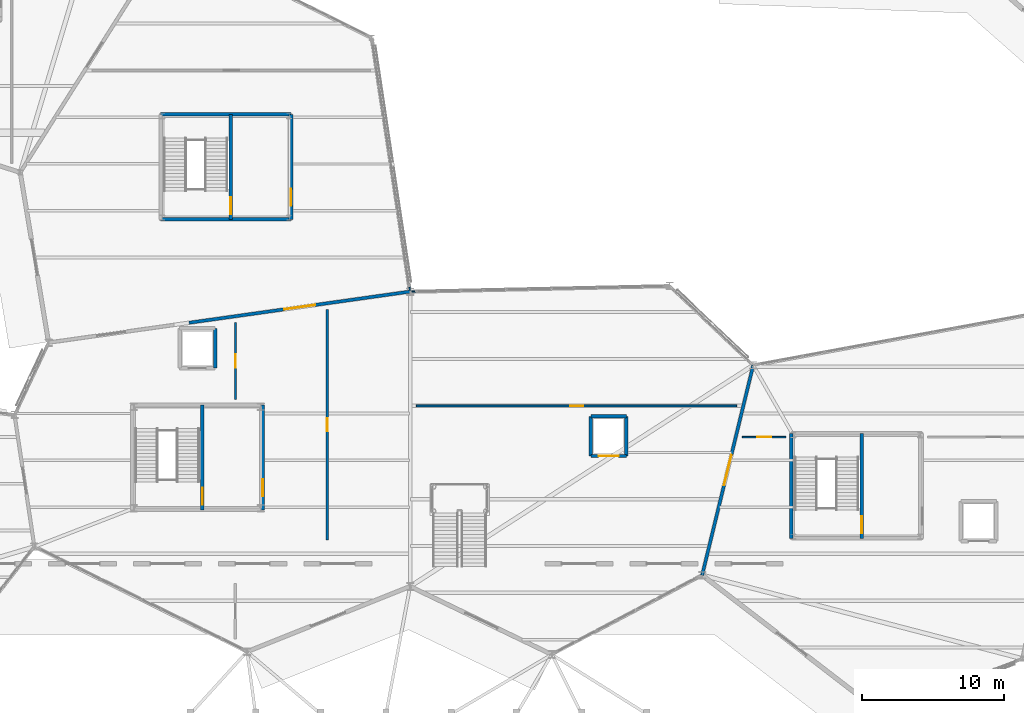
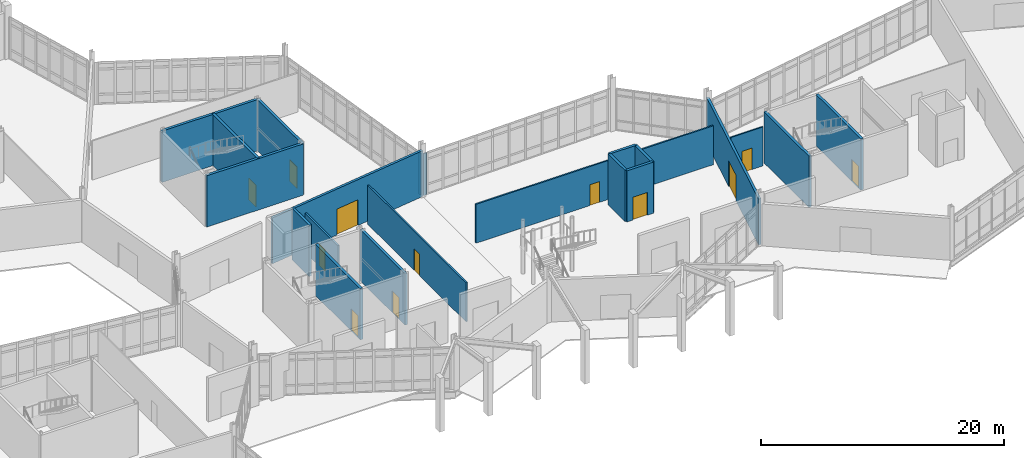
# One storey, part 90 of 113: 21 walls, 12 doors, 12 openings.
"""IFC4 building model written with IfcOpenShell, lengths in metres."""

from ifc_helpers import new_model, si_unit, direction, frame, frame_2d, origin, place, context, subcontext, project, spatial, rectangle, extrude, material, layer, layer_set, type_object, element, fill, save


model = new_model("IFC4")

# Units and contexts
model_context = context("Model", 3, precision=1e-05, world=origin(), true_north=direction((0.0, 1.0)))
body_context = subcontext(model_context, "Body", "Model", "MODEL_VIEW")
ifc_project = project(units=[si_unit("LENGTHUNIT", "METRE"), si_unit("AREAUNIT", "SQUARE_METRE"), si_unit("VOLUMEUNIT", "CUBIC_METRE"), si_unit("PLANEANGLEUNIT", "RADIAN"), si_unit("MASSUNIT", "GRAM", prefix="KILO")], contexts=[model_context])

# Site, building, storey
site_placement = place(None, origin())
site = spatial("IfcSite", under=ifc_project, at=site_placement, CompositionType="ELEMENT")
building_placement = place(site_placement, origin())
building = spatial("IfcBuilding", under=site, at=building_placement, Name="Tameran Prism Museum", CompositionType="ELEMENT")
storey_placement = place(building_placement, origin())
storey = spatial("IfcBuildingStorey", under=building, at=storey_placement, Name="L00", CompositionType="ELEMENT", Elevation=0.0)

# Walls
ifc_material_1 = material(Name="Precast Concrete N40 (40 MPa)", Category="concrete")
ifc_layer_1 = layer(ifc_material_1, 0.094970703125)
ifc_layer_set_1 = layer_set([ifc_layer_1])
wall_type_1 = type_object("IfcWallType", Name="EW-CLOS-095", PredefinedType="SOLIDWALL", material=ifc_layer_set_1)
wall_1_placement = place(storey_placement, frame((77.60205078125, 48.201904296875, 0.0), z_axis=(0.0, 0.0, 1.0), x_axis=(0.999735659566, 0.022991541735, 0.0)))
element("IfcWall", 1, at=wall_1_placement, inside=storey, type_object=wall_type_1, Name="Facade Corner Closure EW-0097", PredefinedType="SOLIDWALL", context=body_context, shape_type="SweptSolid", body=[
    extrude(rectangle(XDim=0.307861328125, YDim=0.094970703125, at=frame_2d((0.15380859375, 0.0))), origin(), (0.0, 0.0, 1.0), 4.219970703125),
])
wall_2_placement = place(storey_placement, frame((77.43896484375, 48.60498046875, 0.0), z_axis=(0.0, 0.0, 1.0), x_axis=(0.15008766182, -0.988672692942, 0.0)))
element("IfcWall", 2, at=wall_2_placement, inside=storey, type_object=wall_type_1, Name="Facade Corner Closure EW-0101", PredefinedType="SOLIDWALL", context=body_context, shape_type="SweptSolid", body=[
    extrude(rectangle(XDim=0.307373046875, YDim=0.094970703125, at=frame_2d((0.15380859375, 0.0))), origin(), (0.0, 0.0, 1.0), 4.219970703125),
])

# Wall, opening, door
ifc_material_2 = material(Name="Concrete N40 (40 MPa)", Category="concrete")
ifc_layer_2 = layer(ifc_material_2, 0.22509765625)
ifc_layer_set_2 = layer_set([ifc_layer_2])
wall_type_2 = type_object("IfcWallType", Name="IW-CMP-225", PredefinedType="SOLIDWALL", material=ifc_layer_set_2)
wall_3_placement = place(storey_placement, frame((77.5, 48.199951171875, 0.0), z_axis=(0.0, 0.0, 1.0), x_axis=(-0.990181159322, -0.139790098807, 0.0)))
wall_3 = element("IfcWall", 3, at=wall_3_placement, inside=storey, type_object=wall_type_2, Name="Compartment Wall IW-0034", PredefinedType="SOLIDWALL", context=body_context, shape_type="SweptSolid", body=[
    extrude(rectangle(XDim=15.737548828125, YDim=0.22509765625, at=frame_2d((7.86865234375, 0.0))), origin(), (0.0, 0.0, 1.0), 4.6201171875),
])
opening_1_placement = place(wall_3_placement, frame((6.76904296875, 0.0, 0.0)))
opening_1 = element("IfcOpeningElement", 4, at=opening_1_placement, cuts=wall_3, Name="Opening ID-0033", PredefinedType="OPENING", context=body_context, shape_type="SweptSolid", body=[
    extrude(rectangle(XDim=2.199951171875, YDim=2.60009765625, at=frame_2d((1.10009765625, 1.300048828125))), frame((0.0, 0.12255859375, 0.0), z_axis=(0.0, -1.0, 0.0), x_axis=(1.0, 0.0, 0.0)), (0.0, 0.0, 1.0), 0.2451171875),
])
ifc_material_3 = material(Name="Fire-Rated Steel Door Leaf and Frame", Category="steel")
door_type_1 = type_object("IfcDoorType", Name="DR-GAL-220", OperationType="DOUBLE_DOOR_SINGLE_SWING", PredefinedType="DOOR", material=ifc_material_3)
door_1_placement = place(opening_1_placement, origin())
door_1 = element("IfcDoor", 5, at=door_1_placement, inside=storey, type_object=door_type_1, Name="Compartment Door ID-0033", OperationType="DOUBLE_DOOR_SINGLE_SWING", OverallHeight=2.60009765625, OverallWidth=2.199951171875, PredefinedType="DOOR", context=body_context, shape_type="SweptSolid", body=[
    extrude(rectangle(XDim=2.199951171875, YDim=2.60009765625, at=frame_2d((1.10009765625, 1.300048828125))), frame((0.0, 0.02490234375, 0.0), z_axis=(0.0, -1.0, 0.0), x_axis=(1.0, 0.0, 0.0)), (0.0, 0.0, 1.0), 0.050048828125),
])
fill(opening_1, door_1)

wall_4_placement = place(storey_placement, frame((98.10009765625, 28.199951171875, 0.0), z_axis=(0.0, 0.0, 1.0), x_axis=(0.236341762997, 0.971669990822, 0.0)))
wall_4 = element("IfcWall", 6, at=wall_4_placement, inside=storey, type_object=wall_type_2, Name="Compartment Wall IW-0037", PredefinedType="SOLIDWALL", context=body_context, shape_type="SweptSolid", body=[
    extrude(rectangle(XDim=15.2314453125, YDim=0.22509765625, at=frame_2d((7.61572265625, 0.0))), origin(), (0.0, 0.0, 1.0), 4.6201171875),
])
opening_2_placement = place(wall_4_placement, frame((6.51611328125, 0.0, 0.0)))
opening_2 = element("IfcOpeningElement", 7, at=opening_2_placement, cuts=wall_4, Name="Opening ID-0036", PredefinedType="OPENING", context=body_context, shape_type="SweptSolid", body=[
    extrude(rectangle(XDim=2.199951171875, YDim=2.60009765625, at=frame_2d((1.10009765625, 1.300048828125))), frame((0.0, 0.12255859375, 0.0), z_axis=(0.0, -1.0, 0.0), x_axis=(1.0, 0.0, 0.0)), (0.0, 0.0, 1.0), 0.2451171875),
])
door_2_placement = place(opening_2_placement, origin())
door_2 = element("IfcDoor", 8, at=door_2_placement, inside=storey, type_object=door_type_1, Name="Compartment Door ID-0036", OperationType="DOUBLE_DOOR_SINGLE_SWING", OverallHeight=2.60009765625, OverallWidth=2.199951171875, PredefinedType="DOOR", context=body_context, shape_type="SweptSolid", body=[
    extrude(rectangle(XDim=2.199951171875, YDim=2.60009765625, at=frame_2d((1.10009765625, 1.300048828125))), frame((0.0, 0.02490234375, 0.0), z_axis=(0.0, -1.0, 0.0), x_axis=(1.0, 0.0, 0.0)), (0.0, 0.0, 1.0), 0.050048828125),
])
fill(opening_2, door_2)

ifc_material_4 = material(Name="Concrete N40 (40 MPa)", Category="concrete")
ifc_layer_3 = layer(ifc_material_4, 0.25)
ifc_layer_set_3 = layer_set([ifc_layer_3])
wall_type_3 = type_object("IfcWallType", Name="IW-COR-250", PredefinedType="SHEAR", material=ifc_layer_set_3)
wall_5_placement = place(storey_placement, frame((67.10009765625, 40.199951171875, 0.0), z_axis=(0.0, 0.0, 1.0), x_axis=(0.0, -1.0, 0.0)))
wall_5 = element("IfcWall", 9, at=wall_5_placement, inside=storey, type_object=wall_type_3, Name="Core Shear Wall CW-3-L00-E", PredefinedType="SHEAR", context=body_context, shape_type="SweptSolid", body=[
    extrude(rectangle(XDim=7.39990234375, YDim=0.25, at=frame_2d((3.699951171875, 0.0))), origin(), (0.0, 0.0, 1.0), 5.159912109375),
])
opening_3_placement = place(wall_5_placement, frame((5.25, 0.0, 0.0)))
opening_3 = element("IfcOpeningElement", 10, at=opening_3_placement, cuts=wall_5, Name="Opening FD-0213", PredefinedType="OPENING", context=body_context, shape_type="SweptSolid", body=[
    extrude(rectangle(XDim=1.199951171875, YDim=2.199951171875, at=frame_2d((0.60009765625, 1.10009765625))), frame((0.0, 0.135009765625, 0.0), z_axis=(0.0, -1.0, 0.0), x_axis=(1.0, 0.0, 0.0)), (0.0, 0.0, 1.0), 0.27001953125),
])
ifc_material_5 = material(Name="Fire-Rated Steel Door Leaf and Frame", Category="steel")
door_type_2 = type_object("IfcDoorType", Name="DR-FD-120A", OperationType="NOTDEFINED", PredefinedType="DOOR", material=ifc_material_5)
door_3_placement = place(opening_3_placement, origin())
door_3 = element("IfcDoor", 11, at=door_3_placement, inside=storey, type_object=door_type_2, Name="Core Fire Door FD-0213", OperationType="SINGLE_SWING_LEFT", OverallHeight=2.199951171875, OverallWidth=1.199951171875, PredefinedType="DOOR", context=body_context, shape_type="SweptSolid", body=[
    extrude(rectangle(XDim=1.199951171875, YDim=2.199951171875, at=frame_2d((0.60009765625, 1.10009765625))), frame((0.0, 0.02490234375, 0.0), z_axis=(0.0, -1.0, 0.0), x_axis=(1.0, 0.0, 0.0)), (0.0, 0.0, 1.0), 0.050048828125),
])
fill(opening_3, door_3)

wall_6_placement = place(storey_placement, frame((62.85009765625, 40.199951171875, 0.0), z_axis=(0.0, 0.0, 1.0), x_axis=(0.0, -1.0, 0.0)))
wall_6 = element("IfcWall", 12, at=wall_6_placement, inside=storey, type_object=wall_type_3, Name="Core Shear Wall CW-3-L00-M", PredefinedType="SHEAR", context=body_context, shape_type="SweptSolid", body=[
    extrude(rectangle(XDim=7.39990234375, YDim=0.25, at=frame_2d((3.699951171875, 0.0))), origin(), (0.0, 0.0, 1.0), 5.159912109375),
])
opening_4_placement = place(wall_6_placement, frame((5.85009765625, 0.0, 0.0)))
opening_4 = element("IfcOpeningElement", 13, at=opening_4_placement, cuts=wall_6, Name="Opening FD-0214", PredefinedType="OPENING", context=body_context, shape_type="SweptSolid", body=[
    extrude(rectangle(XDim=1.199951171875, YDim=2.199951171875, at=frame_2d((0.60009765625, 1.10009765625))), frame((0.0, 0.135009765625, 0.0), z_axis=(0.0, -1.0, 0.0), x_axis=(1.0, 0.0, 0.0)), (0.0, 0.0, 1.0), 0.27001953125),
])
door_4_placement = place(opening_4_placement, origin())
door_4 = element("IfcDoor", 14, at=door_4_placement, inside=storey, type_object=door_type_2, Name="Core Fire Door FD-0214", OperationType="SINGLE_SWING_RIGHT", OverallHeight=2.199951171875, OverallWidth=1.199951171875, PredefinedType="DOOR", context=body_context, shape_type="SweptSolid", body=[
    extrude(rectangle(XDim=1.199951171875, YDim=2.199951171875, at=frame_2d((0.60009765625, 1.10009765625))), frame((0.0, 0.02490234375, 0.0), z_axis=(0.0, -1.0, 0.0), x_axis=(1.0, 0.0, 0.0)), (0.0, 0.0, 1.0), 0.050048828125),
])
fill(opening_4, door_4)

# Walls
for number, where, z_axis, x_axis, name in (
    (15, (59.89990234375, 60.699951171875, 0.0), (0.0, 0.0, 1.0), (1.0, 0.0, 0.0), "Core Shear Wall CW-8-L00-N"),
    (16, (69.10009765625, 53.300048828125, 0.0), (0.0, 0.0, 1.0), (-1.0, 0.0, 0.0), "Core Shear Wall CW-8-L00-S"),
):
    element("IfcWall", number, at=place(storey_placement, frame(where, z_axis=z_axis, x_axis=x_axis)), inside=storey, type_object=wall_type_3, Name=name, PredefinedType="SHEAR", context=body_context, shape_type="SweptSolid", body=[
        extrude(rectangle(XDim=9.2001953125, YDim=0.25, at=frame_2d((4.60009765625, 0.0))), origin(), (0.0, 0.0, 1.0), 5.159912109375),
    ])

# Wall, opening, door
wall_7_placement = place(storey_placement, frame((69.10009765625, 60.699951171875, 0.0), z_axis=(0.0, 0.0, 1.0), x_axis=(0.0, -1.0, 0.0)))
wall_7 = element("IfcWall", 17, at=wall_7_placement, inside=storey, type_object=wall_type_3, Name="Core Shear Wall CW-8-L00-E", PredefinedType="SHEAR", context=body_context, shape_type="SweptSolid", body=[
    extrude(rectangle(XDim=7.39990234375, YDim=0.25, at=frame_2d((3.699951171875, 0.0))), origin(), (0.0, 0.0, 1.0), 5.159912109375),
])
opening_5_placement = place(wall_7_placement, frame((5.25, 0.0, 0.0)))
opening_5 = element("IfcOpeningElement", 18, at=opening_5_placement, cuts=wall_7, Name="Opening FD-0225", PredefinedType="OPENING", context=body_context, shape_type="SweptSolid", body=[
    extrude(rectangle(XDim=1.199951171875, YDim=2.199951171875, at=frame_2d((0.60009765625, 1.10009765625))), frame((0.0, 0.135009765625, 0.0), z_axis=(0.0, -1.0, 0.0), x_axis=(1.0, 0.0, 0.0)), (0.0, 0.0, 1.0), 0.27001953125),
])
door_5_placement = place(opening_5_placement, origin())
door_5 = element("IfcDoor", 19, at=door_5_placement, inside=storey, type_object=door_type_2, Name="Core Fire Door FD-0225", OperationType="SINGLE_SWING_LEFT", OverallHeight=2.199951171875, OverallWidth=1.199951171875, PredefinedType="DOOR", context=body_context, shape_type="SweptSolid", body=[
    extrude(rectangle(XDim=1.199951171875, YDim=2.199951171875, at=frame_2d((0.60009765625, 1.10009765625))), frame((0.0, 0.02490234375, 0.0), z_axis=(0.0, -1.0, 0.0), x_axis=(1.0, 0.0, 0.0)), (0.0, 0.0, 1.0), 0.050048828125),
])
fill(opening_5, door_5)

wall_8_placement = place(storey_placement, frame((64.85009765625, 60.699951171875, 0.0), z_axis=(0.0, 0.0, 1.0), x_axis=(0.0, -1.0, 0.0)))
wall_8 = element("IfcWall", 20, at=wall_8_placement, inside=storey, type_object=wall_type_3, Name="Core Shear Wall CW-8-L00-M", PredefinedType="SHEAR", context=body_context, shape_type="SweptSolid", body=[
    extrude(rectangle(XDim=7.39990234375, YDim=0.25, at=frame_2d((3.699951171875, 0.0))), origin(), (0.0, 0.0, 1.0), 5.159912109375),
])
opening_6_placement = place(wall_8_placement, frame((5.85009765625, 0.0, 0.0)))
opening_6 = element("IfcOpeningElement", 21, at=opening_6_placement, cuts=wall_8, Name="Opening FD-0226", PredefinedType="OPENING", context=body_context, shape_type="SweptSolid", body=[
    extrude(rectangle(XDim=1.199951171875, YDim=2.199951171875, at=frame_2d((0.60009765625, 1.10009765625))), frame((0.0, 0.135009765625, 0.0), z_axis=(0.0, -1.0, 0.0), x_axis=(1.0, 0.0, 0.0)), (0.0, 0.0, 1.0), 0.27001953125),
])
door_6_placement = place(opening_6_placement, origin())
door_6 = element("IfcDoor", 22, at=door_6_placement, inside=storey, type_object=door_type_2, Name="Core Fire Door FD-0226", OperationType="SINGLE_SWING_RIGHT", OverallHeight=2.199951171875, OverallWidth=1.199951171875, PredefinedType="DOOR", context=body_context, shape_type="SweptSolid", body=[
    extrude(rectangle(XDim=1.199951171875, YDim=2.199951171875, at=frame_2d((0.60009765625, 1.10009765625))), frame((0.0, 0.02490234375, 0.0), z_axis=(0.0, -1.0, 0.0), x_axis=(1.0, 0.0, 0.0)), (0.0, 0.0, 1.0), 0.050048828125),
])
fill(opening_6, door_6)

# Wall
wall_9_placement = place(storey_placement, frame((104.39990234375, 30.800048828125, 0.0), z_axis=(0.0, 0.0, 1.0), x_axis=(0.0, 1.0, 0.0)))
element("IfcWall", 23, at=wall_9_placement, inside=storey, type_object=wall_type_3, Name="Core Shear Wall CW-4-L00-W", PredefinedType="SHEAR", context=body_context, shape_type="SweptSolid", body=[
    extrude(rectangle(XDim=7.39990234375, YDim=0.25, at=frame_2d((3.699951171875, 0.0))), origin(), (0.0, 0.0, 1.0), 5.159912109375),
])

# Wall, opening, door
wall_10_placement = place(storey_placement, frame((109.35009765625, 38.199951171875, 0.0), z_axis=(0.0, 0.0, 1.0), x_axis=(0.0, -1.0, 0.0)))
wall_10 = element("IfcWall", 24, at=wall_10_placement, inside=storey, type_object=wall_type_3, Name="Core Shear Wall CW-4-L00-M", PredefinedType="SHEAR", context=body_context, shape_type="SweptSolid", body=[
    extrude(rectangle(XDim=7.39990234375, YDim=0.25, at=frame_2d((3.699951171875, 0.0))), origin(), (0.0, 0.0, 1.0), 5.159912109375),
])
opening_7_placement = place(wall_10_placement, frame((5.85009765625, 0.0, 0.0)))
opening_7 = element("IfcOpeningElement", 25, at=opening_7_placement, cuts=wall_10, Name="Opening FD-0236", PredefinedType="OPENING", context=body_context, shape_type="SweptSolid", body=[
    extrude(rectangle(XDim=1.199951171875, YDim=2.199951171875, at=frame_2d((0.60009765625, 1.10009765625))), frame((0.0, 0.135009765625, 0.0), z_axis=(0.0, -1.0, 0.0), x_axis=(1.0, 0.0, 0.0)), (0.0, 0.0, 1.0), 0.27001953125),
])
door_7_placement = place(opening_7_placement, origin())
door_7 = element("IfcDoor", 26, at=door_7_placement, inside=storey, type_object=door_type_2, Name="Core Fire Door FD-0236", OperationType="SINGLE_SWING_RIGHT", OverallHeight=2.199951171875, OverallWidth=1.199951171875, PredefinedType="DOOR", context=body_context, shape_type="SweptSolid", body=[
    extrude(rectangle(XDim=1.199951171875, YDim=2.199951171875, at=frame_2d((0.60009765625, 1.10009765625))), frame((0.0, 0.02490234375, 0.0), z_axis=(0.0, -1.0, 0.0), x_axis=(1.0, 0.0, 0.0)), (0.0, 0.0, 1.0), 0.050048828125),
])
fill(opening_7, door_7)

# Walls
ifc_material_6 = material(Name="Concrete N40 (40 MPa)", Category="concrete")
ifc_layer_4 = layer(ifc_material_6, 0.239990234375)
ifc_layer_set_4 = layer_set([ifc_layer_4])
wall_type_4 = type_object("IfcWallType", Name="IW-LFT-240", PredefinedType="SHEAR", material=ifc_layer_set_4)
wall_11_placement = place(storey_placement, frame((63.75, 45.60009765625, 0.0), z_axis=(0.0, 0.0, 1.0), x_axis=(0.0, -1.0, 0.0)))
element("IfcWall", 27, at=wall_11_placement, inside=storey, type_object=wall_type_4, Name="Lift Shaft Wall LW-PL01-L00E", PredefinedType="SHEAR", context=body_context, shape_type="SweptSolid", body=[
    extrude(rectangle(XDim=2.800048828125, YDim=0.239990234375, at=frame_2d((1.39990234375, 0.0))), origin(), (0.0, 0.0, 1.0), 5.159912109375),
])
wall_12_placement = place(storey_placement, frame((90.25, 39.39990234375, 0.0), z_axis=(0.0, 0.0, 1.0), x_axis=(1.0, 0.0, 0.0)))
element("IfcWall", 28, at=wall_12_placement, inside=storey, type_object=wall_type_4, Name="Lift Shaft Wall LW-PL02-L00N", PredefinedType="SHEAR", context=body_context, shape_type="SweptSolid", body=[
    extrude(rectangle(XDim=2.5, YDim=0.239990234375, at=frame_2d((1.25, 0.0))), origin(), (0.0, 0.0, 1.0), 5.159912109375),
])
for number, where, z_axis, x_axis, name in (
    (29, (92.75, 39.39990234375, 0.0), (0.0, 0.0, 1.0), (0.0, -1.0, 0.0), "Lift Shaft Wall LW-PL02-L00E"),
    (30, (90.25, 36.60009765625, 0.0), (0.0, 0.0, 1.0), (0.0, 1.0, 0.0), "Lift Shaft Wall LW-PL02-L00W"),
):
    element("IfcWall", number, at=place(storey_placement, frame(where, z_axis=z_axis, x_axis=x_axis)), inside=storey, type_object=wall_type_4, Name=name, PredefinedType="SHEAR", context=body_context, shape_type="SweptSolid", body=[
        extrude(rectangle(XDim=2.7998046875, YDim=0.239990234375, at=frame_2d((1.39990234375, 0.0))), origin(), (0.0, 0.0, 1.0), 5.159912109375),
    ])

# Wall, opening, door
wall_13_placement = place(storey_placement, frame((92.75, 36.60009765625, 0.0), z_axis=(0.0, 0.0, 1.0), x_axis=(-1.0, 0.0, 0.0)))
wall_13 = element("IfcWall", 31, at=wall_13_placement, inside=storey, type_object=wall_type_4, Name="Lift Shaft Wall LW-PL02-L00S", PredefinedType="SHEAR", context=body_context, shape_type="SweptSolid", body=[
    extrude(rectangle(XDim=2.5, YDim=0.239990234375, at=frame_2d((1.25, 0.0))), origin(), (0.0, 0.0, 1.0), 5.159912109375),
])
opening_8_placement = place(wall_13_placement, frame((0.550048828125, 0.0, 0.0)))
opening_8 = element("IfcOpeningElement", 32, at=opening_8_placement, cuts=wall_13, Name="Opening LD-PL02-L00", PredefinedType="OPENING", context=body_context, shape_type="SweptSolid", body=[
    extrude(rectangle(XDim=1.39990234375, YDim=2.300048828125, at=frame_2d((0.699951171875, 1.14990234375))), frame((0.0, 0.1298828125, 0.0), z_axis=(0.0, -1.0, 0.0), x_axis=(1.0, 0.0, 0.0)), (0.0, 0.0, 1.0), 0.260009765625),
])
ifc_material_7 = material(Name="Fire-Rated Steel Door Leaf and Frame", Category="steel")
door_type_3 = type_object("IfcDoorType", Name="DR-LD-PL2", OperationType="SLIDING_TO_LEFT", PredefinedType="DOOR", material=ifc_material_7)
door_8_placement = place(opening_8_placement, origin())
door_8 = element("IfcDoor", 33, at=door_8_placement, inside=storey, type_object=door_type_3, Name="Passenger Lift PL-02 Landing Door L00", OperationType="SLIDING_TO_LEFT", OverallHeight=2.300048828125, OverallWidth=1.39990234375, PredefinedType="DOOR", context=body_context, shape_type="SweptSolid", body=[
    extrude(rectangle(XDim=1.39990234375, YDim=2.300048828125, at=frame_2d((0.699951171875, 1.14990234375))), frame((0.0, 0.02490234375, 0.0), z_axis=(0.0, -1.0, 0.0), x_axis=(1.0, 0.0, 0.0)), (0.0, 0.0, 1.0), 0.050048828125),
])
fill(opening_8, door_8)

ifc_material_8 = material(Name="Office Insulated Stud Partition")
ifc_layer_5 = layer(ifc_material_8, 0.1201171875)
ifc_layer_set_5 = layer_set([ifc_layer_5])
wall_type_5 = type_object("IfcWallType", Name="IW-PRT-120", PredefinedType="PARTITIONING", material=ifc_layer_set_5)
wall_14_placement = place(storey_placement, frame((100.930908203125, 37.93310546875, 0.0), z_axis=(0.0, 0.0, 1.0), x_axis=(1.0, 0.0, 0.0)))
wall_14 = element("IfcWall", 34, at=wall_14_placement, inside=storey, type_object=wall_type_5, Name="Internal Partition PT-0062", PredefinedType="PARTITIONING", context=body_context, shape_type="SweptSolid", body=[
    extrude(rectangle(XDim=3.069091796875, YDim=0.1201171875, at=frame_2d((1.53466796875, 0.0))), origin(), (0.0, 0.0, 1.0), 3.919921875),
])
opening_9_placement = place(wall_14_placement, frame((1.044921875, 0.0, 0.0)))
opening_9 = element("IfcOpeningElement", 35, at=opening_9_placement, cuts=wall_14, Name="Opening ID-0061", PredefinedType="OPENING", context=body_context, shape_type="SweptSolid", body=[
    extrude(rectangle(XDim=0.97998046875, YDim=2.14990234375, at=frame_2d((0.489990234375, 1.074951171875))), frame((0.0, 0.070068359375, 0.0), z_axis=(0.0, -1.0, 0.0), x_axis=(1.0, 0.0, 0.0)), (0.0, 0.0, 1.0), 0.14013671875),
])
ifc_material_9 = material(Name="Acoustic Solid-Core Timber Door", Category="wood")
door_type_4 = type_object("IfcDoorType", Name="DR-INT-098", OperationType="NOTDEFINED", PredefinedType="DOOR", material=ifc_material_9)
door_9_placement = place(opening_9_placement, origin())
door_9 = element("IfcDoor", 36, at=door_9_placement, inside=storey, type_object=door_type_4, Name="Interior Room Door ID-0061", OperationType="SINGLE_SWING_RIGHT", OverallHeight=2.14990234375, OverallWidth=0.97998046875, PredefinedType="DOOR", context=body_context, shape_type="SweptSolid", body=[
    extrude(rectangle(XDim=0.97998046875, YDim=2.14990234375, at=frame_2d((0.489990234375, 1.074951171875))), frame((0.0, 0.02490234375, 0.0), z_axis=(0.0, -1.0, 0.0), x_axis=(1.0, 0.0, 0.0)), (0.0, 0.0, 1.0), 0.050048828125),
])
fill(opening_9, door_9)

ifc_material_10 = material(Name="Acoustic Seminar Stud Partition")
ifc_layer_6 = layer(ifc_material_10, 0.139892578125)
ifc_layer_set_6 = layer_set([ifc_layer_6])
wall_type_6 = type_object("IfcWallType", Name="IW-PRT-140", PredefinedType="PARTITIONING", material=ifc_layer_set_6)
wall_15_placement = place(storey_placement, frame((77.949951171875, 40.133056640625, 0.0), z_axis=(0.0, 0.0, 1.0), x_axis=(1.0, 0.0, 0.0)))
wall_15 = element("IfcWall", 37, at=wall_15_placement, inside=storey, type_object=wall_type_6, Name="Internal Partition PT-0060", PredefinedType="PARTITIONING", context=body_context, shape_type="SweptSolid", body=[
    extrude(rectangle(XDim=22.590087890625, YDim=0.139892578125, at=frame_2d((11.294921875, 0.0))), origin(), (0.0, 0.0, 1.0), 3.919921875),
])
opening_10_placement = place(wall_15_placement, frame((10.8349609375, 0.0, 0.0)))
opening_10 = element("IfcOpeningElement", 38, at=opening_10_placement, cuts=wall_15, Name="Opening ID-0059", PredefinedType="OPENING", context=body_context, shape_type="SweptSolid", body=[
    extrude(rectangle(XDim=0.919921875, YDim=2.10009765625, at=frame_2d((0.4599609375, 1.050048828125))), frame((0.0, 0.079833984375, 0.0), z_axis=(0.0, -1.0, 0.0), x_axis=(1.0, 0.0, 0.0)), (0.0, 0.0, 1.0), 0.159912109375),
])
ifc_material_11 = material(Name="Acoustic Solid-Core Timber Door", Category="wood")
door_type_5 = type_object("IfcDoorType", Name="DR-INT-092", OperationType="NOTDEFINED", PredefinedType="DOOR", material=ifc_material_11)
door_10_placement = place(opening_10_placement, origin())
door_10 = element("IfcDoor", 39, at=door_10_placement, inside=storey, type_object=door_type_5, Name="Interior Room Door ID-0059", OperationType="SINGLE_SWING_RIGHT", OverallHeight=2.10009765625, OverallWidth=0.919921875, PredefinedType="DOOR", context=body_context, shape_type="SweptSolid", body=[
    extrude(rectangle(XDim=0.919921875, YDim=2.10009765625, at=frame_2d((0.4599609375, 1.050048828125))), frame((0.0, 0.02490234375, 0.0), z_axis=(0.0, -1.0, 0.0), x_axis=(1.0, 0.0, 0.0)), (0.0, 0.0, 1.0), 0.050048828125),
])
fill(opening_10, door_10)

ifc_material_12 = material(Name="Laboratory Moisture-Resistant Partition")
ifc_layer_7 = layer(ifc_material_12, 0.14990234375)
ifc_layer_set_7 = layer_set([ifc_layer_7])
wall_type_7 = type_object("IfcWallType", Name="IW-PRT-150", PredefinedType="PARTITIONING", material=ifc_layer_set_7)
wall_16_placement = place(storey_placement, frame((71.653076171875, 30.69091796875, 0.0), z_axis=(0.0, 0.0, 1.0), x_axis=(0.0, 1.0, 0.0)))
wall_16 = element("IfcWall", 40, at=wall_16_placement, inside=storey, type_object=wall_type_7, Name="Internal Partition PT-0059", PredefinedType="PARTITIONING", context=body_context, shape_type="SweptSolid", body=[
    extrude(rectangle(XDim=16.22900390625, YDim=0.14990234375, at=frame_2d((8.114501953125, 0.0))), origin(), (0.0, 0.0, 1.0), 3.919921875),
])
opening_11_placement = place(wall_16_placement, frame((7.639892578125, 0.0, 0.0)))
opening_11 = element("IfcOpeningElement", 41, at=opening_11_placement, cuts=wall_16, Name="Opening ID-0058", PredefinedType="OPENING", context=body_context, shape_type="SweptSolid", body=[
    extrude(rectangle(XDim=0.949951171875, YDim=2.14990234375, at=frame_2d((0.47509765625, 1.074951171875))), frame((0.0, 0.0849609375, 0.0), z_axis=(0.0, -1.0, 0.0), x_axis=(1.0, 0.0, 0.0)), (0.0, 0.0, 1.0), 0.169921875),
])
ifc_material_13 = material(Name="Acoustic Solid-Core Timber Door", Category="wood")
door_type_6 = type_object("IfcDoorType", Name="DR-INT-095", OperationType="NOTDEFINED", PredefinedType="DOOR", material=ifc_material_13)
door_11_placement = place(opening_11_placement, origin())
door_11 = element("IfcDoor", 42, at=door_11_placement, inside=storey, type_object=door_type_6, Name="Interior Room Door ID-0058", OperationType="SINGLE_SWING_LEFT", OverallHeight=2.14990234375, OverallWidth=0.949951171875, PredefinedType="DOOR", context=body_context, shape_type="SweptSolid", body=[
    extrude(rectangle(XDim=0.949951171875, YDim=2.14990234375, at=frame_2d((0.47509765625, 1.074951171875))), frame((0.0, 0.02490234375, 0.0), z_axis=(0.0, -1.0, 0.0), x_axis=(1.0, 0.0, 0.0)), (0.0, 0.0, 1.0), 0.050048828125),
])
fill(opening_11, door_11)

ifc_material_14 = material(Name="Fire-Rated Corridor Stud Partition")
ifc_layer_8 = layer(ifc_material_14, 0.159912109375)
ifc_layer_set_8 = layer_set([ifc_layer_8])
wall_type_8 = type_object("IfcWallType", Name="IW-PRT-160", PredefinedType="PARTITIONING", material=ifc_layer_set_8)
wall_17_placement = place(storey_placement, frame((65.177001953125, 40.60009765625, 0.0), z_axis=(0.0, 0.0, 1.0), x_axis=(0.0, 1.0, 0.0)))
wall_17 = element("IfcWall", 43, at=wall_17_placement, inside=storey, type_object=wall_type_8, Name="Internal Partition PT-0058", PredefinedType="PARTITIONING", context=body_context, shape_type="SweptSolid", body=[
    extrude(rectangle(XDim=5.406005859375, YDim=0.159912109375, at=frame_2d((2.703125, 0.0))), origin(), (0.0, 0.0, 1.0), 3.919921875),
])
opening_12_placement = place(wall_17_placement, frame((2.212890625, 0.0, 0.0)))
opening_12 = element("IfcOpeningElement", 44, at=opening_12_placement, cuts=wall_17, Name="Opening ID-0057", PredefinedType="OPENING", context=body_context, shape_type="SweptSolid", body=[
    extrude(rectangle(XDim=0.97998046875, YDim=2.14990234375, at=frame_2d((0.489990234375, 1.074951171875))), frame((0.0, 0.08984375, 0.0), z_axis=(0.0, -1.0, 0.0), x_axis=(1.0, 0.0, 0.0)), (0.0, 0.0, 1.0), 0.179931640625),
])
door_12_placement = place(opening_12_placement, origin())
door_12 = element("IfcDoor", 45, at=door_12_placement, inside=storey, type_object=door_type_4, Name="Interior Room Door ID-0057", OperationType="SINGLE_SWING_RIGHT", OverallHeight=2.14990234375, OverallWidth=0.97998046875, PredefinedType="DOOR", context=body_context, shape_type="SweptSolid", body=[
    extrude(rectangle(XDim=0.97998046875, YDim=2.14990234375, at=frame_2d((0.489990234375, 1.074951171875))), frame((0.0, 0.02490234375, 0.0), z_axis=(0.0, -1.0, 0.0), x_axis=(1.0, 0.0, 0.0)), (0.0, 0.0, 1.0), 0.050048828125),
])
fill(opening_12, door_12)

save(model, "model.ifc")
